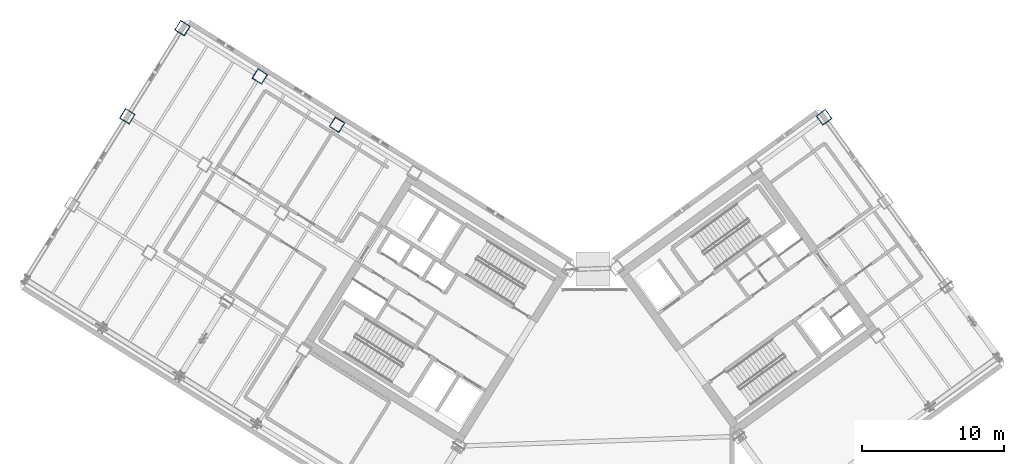
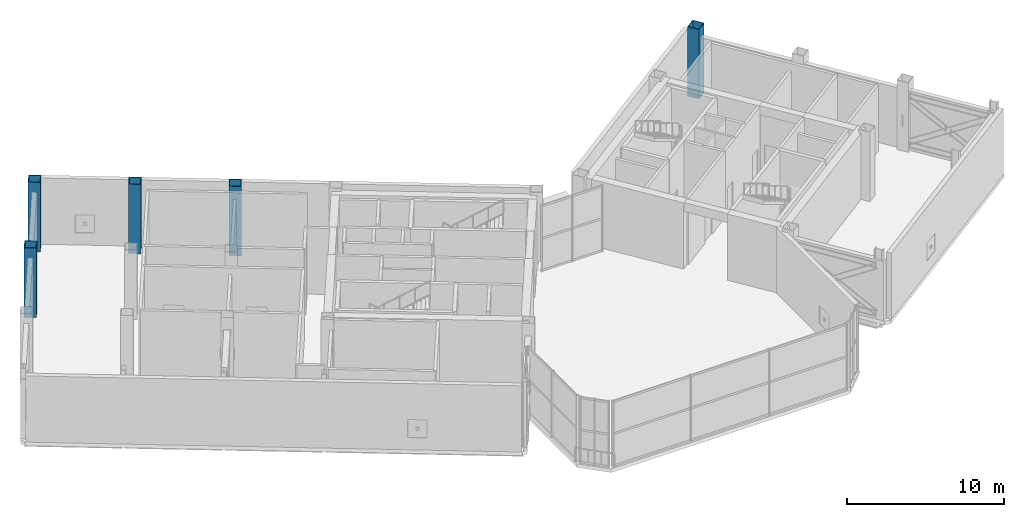
# One storey, part 3 of 30: 5 columns.
"""IFC4 building model written with IfcOpenShell, lengths in metres."""

from ifc_helpers import new_model, si_unit, direction, frame, origin, origin_2d, place, context, subcontext, project, spatial, hollow_rectangle, extrude, source, transform, mapped, material, material_profile, profile_set, type_object, element, save


model = new_model("IFC4")

# Units and contexts
model_context = context("Model", 3, precision=1e-05, world=origin(), true_north=direction((0.0, 1.0)))
body_context = subcontext(model_context, "Body", "Model", "MODEL_VIEW")
ifc_project = project(units=[si_unit("LENGTHUNIT", "METRE"), si_unit("AREAUNIT", "SQUARE_METRE"), si_unit("VOLUMEUNIT", "CUBIC_METRE"), si_unit("PLANEANGLEUNIT", "RADIAN"), si_unit("MASSUNIT", "GRAM", prefix="KILO")], contexts=[model_context])

# Site, building, storey
site_placement = place(None, origin())
site = spatial("IfcSite", under=ifc_project, at=site_placement, CompositionType="ELEMENT")
building_placement = place(site_placement, origin())
building = spatial("IfcBuilding", under=site, at=building_placement, Name="Tlacorven Tower", CompositionType="ELEMENT")
storey_placement = place(building_placement, frame((0.0, 0.0, 169.5)))
storey = spatial("IfcBuildingStorey", under=building, at=storey_placement, Name="L43", CompositionType="ELEMENT", Elevation=169.5)

# Columns
ifc_material = material(Name="Steel S460M", Category="steel")
ifc_material_profile = material_profile(ifc_material, hollow_rectangle(XDim=0.800048828125, YDim=0.800048828125, WallThickness=0.031982421875, at=origin_2d()), Name="BOX 800X800X32")
ifc_profile_set = profile_set([ifc_material_profile], Name="Steel S460M")
column_type = type_object("IfcColumnType", Name="COL-TWR-S3", PredefinedType="COLUMN", material=ifc_profile_set)
shared_shape = source(origin(), body_context, "Body", "SweptSolid", [
    extrude(hollow_rectangle(XDim=0.800048828125, YDim=0.800048828125, WallThickness=0.031982421875, at=origin_2d()), origin(), (0.0, 0.0, 1.0), 5.39990234375),
])
for number, where, z_axis, x_axis, name in (
    (1, (24.50048828125, 34.642822265625, 0.0), (0.0, 0.0, 1.0), (-0.848048096156, 0.529919264233, 0.0), "L43 column COL-L43-W4-1"),
    (2, (19.072998046875, 38.034423828125, 0.0), (0.0, 0.0, 1.0), (-0.848048096156, 0.529919264233, 0.0), "L43 column COL-L43-W5-1"),
    (3, (13.6455078125, 41.42578125, 0.0), (0.0, 0.0, 1.0), (-0.848048096156, 0.529919264233, 0.0), "L43 column COL-L43-W6-1"),
    (4, (9.777099609375, 35.235107421875, 0.0), (0.0, 0.0, 1.0), (-0.848048096156, 0.529919264233, 0.0), "L43 column COL-L43-W6-2"),
    (5, (58.68603515625, 35.165283203125, 0.0), (0.0, 0.0, 1.0), (0.809016994375, 0.587785252292, 0.0), "L43 column COL-L43-E4-4"),
):
    element("IfcColumn", number, at=place(storey_placement, frame(where, z_axis=z_axis, x_axis=x_axis)), inside=storey, type_object=column_type, Name=name, PredefinedType="COLUMN", context=body_context, shape_type="MappedRepresentation", body=[
        mapped(shared_shape, transform((0.0, 0.0, 0.0), scale=1.0)),
    ])

save(model, "model.ifc")
